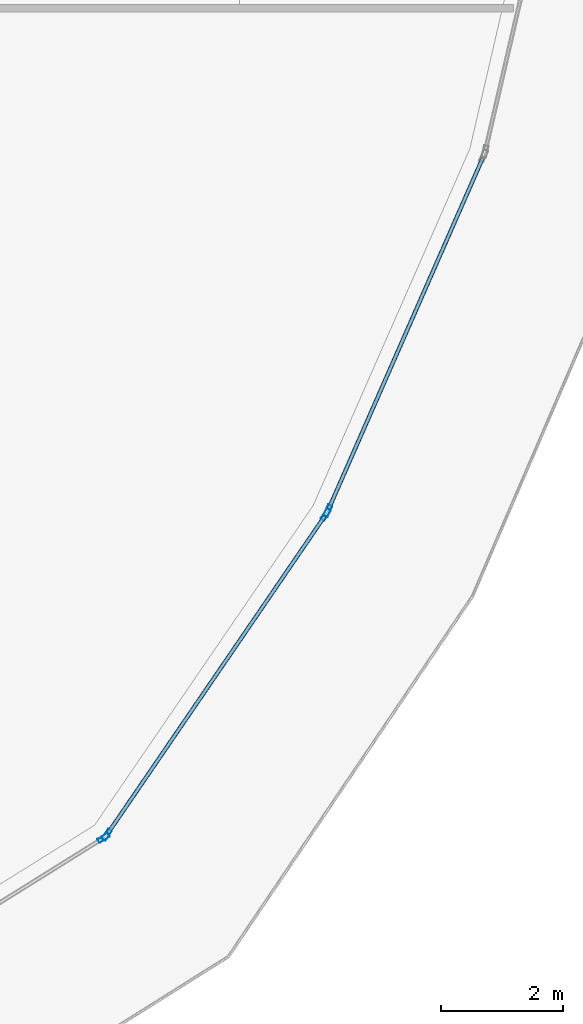
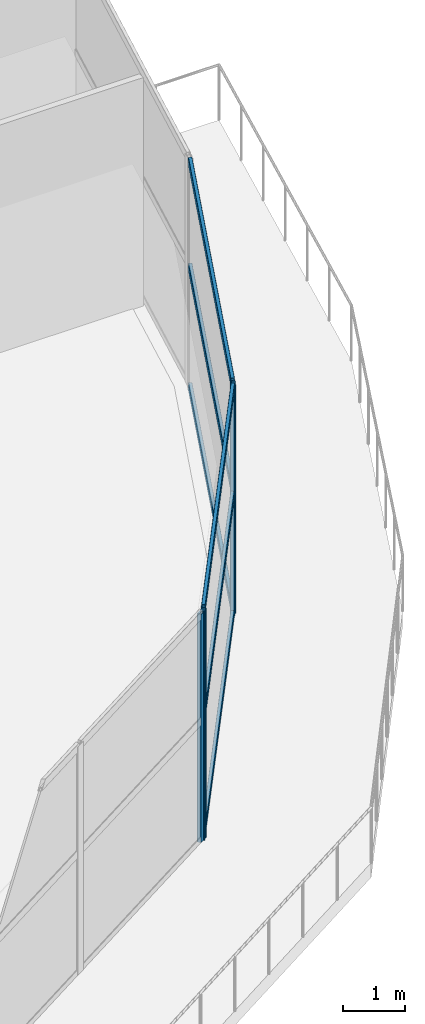
# One storey, part 11 of 36: 10 members, 3 elements without a shape of their own.
"""IFC4 building model written with IfcOpenShell, lengths in metres."""

from ifc_helpers import new_model, si_unit, direction, frame, origin, origin_2d, place, context, subcontext, project, spatial, hollow_rectangle, extrude, material, layer, layer_set, material_profile, profile_set, type_object, element, aggregate, save


model = new_model("IFC4")

# Units and contexts
model_context = context("Model", 3, precision=1e-05, world=origin(), true_north=direction((0.0, 1.0)))
body_context = subcontext(model_context, "Body", "Model", "MODEL_VIEW")
ifc_project = project(units=[si_unit("LENGTHUNIT", "METRE"), si_unit("AREAUNIT", "SQUARE_METRE"), si_unit("VOLUMEUNIT", "CUBIC_METRE"), si_unit("PLANEANGLEUNIT", "RADIAN"), si_unit("MASSUNIT", "GRAM", prefix="KILO")], contexts=[model_context])

# Site, building, storey
site_placement = place(None, origin())
site = spatial("IfcSite", under=ifc_project, at=site_placement, CompositionType="ELEMENT")
building_placement = place(site_placement, origin())
building = spatial("IfcBuilding", under=site, at=building_placement, Name="Qorvath Tower", CompositionType="ELEMENT")
storey_placement = place(building_placement, frame((0.0, 0.0, 180.0)))
storey = spatial("IfcBuildingStorey", under=building, at=storey_placement, Name="L41", CompositionType="ELEMENT", Elevation=180.0)

# Curtain wall, member
ifc_material_1 = material(Name="Anodised aluminium and triple low-E glass", Category="aluminium")
ifc_layer = layer(ifc_material_1, 0.179931640625)
ifc_layer_set = layer_set([ifc_layer], Name="CW-SYS-5")
curtain_wall_type = type_object("IfcCurtainWallType", Name="CW-SYS-5", PredefinedType="NOTDEFINED", material=ifc_layer_set)
curtain_wall_1_placement = place(storey_placement, origin())
curtain_wall_1 = element("IfcCurtainWall", 1, at=curtain_wall_1_placement, inside=storey, type_object=curtain_wall_type, Name="Curtain Wall CW-5 CW-T-L41-4.1", PredefinedType="NOTDEFINED")
ifc_material_2 = material(Name="Anodised aluminium 6063-T6", Category="aluminium")
ifc_material_profile_1 = material_profile(ifc_material_2, hollow_rectangle(XDim=0.074951171875, YDim=0.199951171875, WallThickness=0.00390625, InnerFilletRadius=0.00390625, OuterFilletRadius=0.008056640625, at=origin_2d()), Name="CWM 200x75")
ifc_profile_set_1 = profile_set([ifc_material_profile_1], Name="Anodised aluminium 6063-T6")
member_type_1 = type_object("IfcMemberType", Name="CWM-200", PredefinedType="MULLION", material=ifc_profile_set_1)
member_1_placement = place(storey_placement, frame((-5.0439453125, -22.167236328125, 0.0), z_axis=(0.0, 0.0, 1.0), x_axis=(-0.529309919685, 0.848428552633, 0.0)))
member_1 = element("IfcMember", 2, at=member_1_placement, type_object=member_type_1, Name="CW-5 mullion 3", PredefinedType="MULLION", context=body_context, shape_type="SweptSolid", body=[
    extrude(hollow_rectangle(XDim=0.074951171875, YDim=0.199951171875, WallThickness=0.00390625, InnerFilletRadius=0.00390625, OuterFilletRadius=0.008056640625, at=origin_2d()), origin(), (0.0, 0.0, 1.0), 4.530029296875),
])
aggregate(curtain_wall_1, [member_1])

# Curtain wall, members
curtain_wall_2_placement = place(storey_placement, origin())
curtain_wall_2 = element("IfcCurtainWall", 3, at=curtain_wall_2_placement, inside=storey, type_object=curtain_wall_type, Name="Curtain Wall CW-5 CW-T-L41-5.1", PredefinedType="NOTDEFINED")
member_2_placement = place(storey_placement, frame((-4.990966796875, -22.116455078125, 0.0), z_axis=(0.0, 0.0, 1.0), x_axis=(-0.825508358689, 0.564389891595, 0.0)))
member_2 = element("IfcMember", 4, at=member_2_placement, type_object=member_type_1, Name="CW-5 mullion 1", PredefinedType="MULLION", context=body_context, shape_type="SweptSolid", body=[
    extrude(hollow_rectangle(XDim=0.074951171875, YDim=0.199951171875, WallThickness=0.00390625, InnerFilletRadius=0.00390625, OuterFilletRadius=0.008056640625, at=origin_2d()), origin(), (0.0, 0.0, 1.0), 4.530029296875),
])
member_3_placement = place(storey_placement, frame((-1.399658203125, -16.863525390625, 0.0), z_axis=(0.0, 0.0, 1.0), x_axis=(-0.825508358689, 0.564389891595, 0.0)))
member_3 = element("IfcMember", 5, at=member_3_placement, type_object=member_type_1, Name="CW-5 mullion 2", PredefinedType="MULLION", context=body_context, shape_type="SweptSolid", body=[
    extrude(hollow_rectangle(XDim=0.074951171875, YDim=0.199951171875, WallThickness=0.00390625, InnerFilletRadius=0.00390625, OuterFilletRadius=0.008056640625, at=origin_2d()), origin(), (0.0, 0.0, 1.0), 4.530029296875),
])

# Curtain wall, member
curtain_wall_3_placement = place(storey_placement, origin())
curtain_wall_3 = element("IfcCurtainWall", 6, at=curtain_wall_3_placement, inside=storey, type_object=curtain_wall_type, Name="Curtain Wall CW-5 CW-T-L41-6.1", PredefinedType="NOTDEFINED")
member_4_placement = place(storey_placement, frame((-1.36328125, -16.798095703125, 0.0), z_axis=(0.0, 0.0, 1.0), x_axis=(-0.915612514038, 0.402061841186, 0.0)))
member_4 = element("IfcMember", 7, at=member_4_placement, type_object=member_type_1, Name="CW-5 mullion 1", PredefinedType="MULLION", context=body_context, shape_type="SweptSolid", body=[
    extrude(hollow_rectangle(XDim=0.074951171875, YDim=0.199951171875, WallThickness=0.00390625, InnerFilletRadius=0.00390625, OuterFilletRadius=0.008056640625, at=origin_2d()), origin(), (0.0, 0.0, 1.0), 4.530029296875),
])

# Member
ifc_material_3 = material(Name="Anodised aluminium 6063-T6", Category="aluminium")
ifc_material_profile_2 = material_profile(ifc_material_3, hollow_rectangle(XDim=0.06494140625, YDim=0.159912109375, WallThickness=0.00341796875, InnerFilletRadius=0.00341796875, OuterFilletRadius=0.007080078125, at=origin_2d()), Name="CWT 160x65")
ifc_profile_set_2 = profile_set([ifc_material_profile_2], Name="Anodised aluminium 6063-T6")
member_type_2 = type_object("IfcMemberType", Name="CWT-160", PredefinedType="USERDEFINED", material=ifc_profile_set_2)
member_5_placement = place(storey_placement, frame((-4.969970703125, -22.085693359375, 0.032470703125), z_axis=(0.564409705697, 0.825494811683, 0.0), x_axis=(-0.825494811683, 0.564409705697, 0.0)))
member_5 = element("IfcMember", 8, at=member_5_placement, type_object=member_type_2, Name="CW-5 transom 1.1", ObjectType="TRANSOM", PredefinedType="USERDEFINED", context=body_context, shape_type="SweptSolid", body=[
    extrude(hollow_rectangle(XDim=0.06494140625, YDim=0.159912109375, WallThickness=0.00341796875, InnerFilletRadius=0.00341796875, OuterFilletRadius=0.007080078125, at=origin_2d()), origin(), (0.0, 0.0, 1.0), 6.28857421875),
])

member_6_placement = place(storey_placement, frame((-4.969970703125, -22.085693359375, 2.39990234375), z_axis=(0.564409705697, 0.825494811683, 0.0), x_axis=(-0.825494811683, 0.564409705697, 0.0)))
member_6 = element("IfcMember", 9, at=member_6_placement, type_object=member_type_2, Name="CW-5 transom 1.2", ObjectType="TRANSOM", PredefinedType="USERDEFINED", context=body_context, shape_type="SweptSolid", body=[
    extrude(hollow_rectangle(XDim=0.06494140625, YDim=0.159912109375, WallThickness=0.00341796875, InnerFilletRadius=0.00341796875, OuterFilletRadius=0.007080078125, at=origin_2d()), origin(), (0.0, 0.0, 1.0), 6.28857421875),
])

member_7_placement = place(storey_placement, frame((-4.969970703125, -22.085693359375, 4.49755859375), z_axis=(0.564409705697, 0.825494811683, 0.0), x_axis=(-0.825494811683, 0.564409705697, 0.0)))
member_7 = element("IfcMember", 10, at=member_7_placement, type_object=member_type_2, Name="CW-5 transom 1.3", ObjectType="TRANSOM", PredefinedType="USERDEFINED", context=body_context, shape_type="SweptSolid", body=[
    extrude(hollow_rectangle(XDim=0.06494140625, YDim=0.159912109375, WallThickness=0.00341796875, InnerFilletRadius=0.00341796875, OuterFilletRadius=0.007080078125, at=origin_2d()), origin(), (0.0, 0.0, 1.0), 6.28857421875),
])

aggregate(curtain_wall_2, [member_2, member_3, member_5, member_6, member_7])

member_8_placement = place(storey_placement, frame((-1.34814453125, -16.763916015625, 0.032470703125), z_axis=(0.402024199909, 0.915629042073, 0.0), x_axis=(-0.915629042073, 0.402024199909, 0.0)))
member_8 = element("IfcMember", 11, at=member_8_placement, type_object=member_type_2, Name="CW-5 transom 1.1", ObjectType="TRANSOM", PredefinedType="USERDEFINED", context=body_context, shape_type="SweptSolid", body=[
    extrude(hollow_rectangle(XDim=0.06494140625, YDim=0.159912109375, WallThickness=0.00341796875, InnerFilletRadius=0.00341796875, OuterFilletRadius=0.007080078125, at=origin_2d()), origin(), (0.0, 0.0, 1.0), 6.288330078125),
])

member_9_placement = place(storey_placement, frame((-1.34814453125, -16.763916015625, 2.39990234375), z_axis=(0.402024199909, 0.915629042073, 0.0), x_axis=(-0.915629042073, 0.402024199909, 0.0)))
member_9 = element("IfcMember", 12, at=member_9_placement, type_object=member_type_2, Name="CW-5 transom 1.2", ObjectType="TRANSOM", PredefinedType="USERDEFINED", context=body_context, shape_type="SweptSolid", body=[
    extrude(hollow_rectangle(XDim=0.06494140625, YDim=0.159912109375, WallThickness=0.00341796875, InnerFilletRadius=0.00341796875, OuterFilletRadius=0.007080078125, at=origin_2d()), origin(), (0.0, 0.0, 1.0), 6.288330078125),
])

member_10_placement = place(storey_placement, frame((-1.34814453125, -16.763916015625, 4.49755859375), z_axis=(0.402024199909, 0.915629042073, 0.0), x_axis=(-0.915629042073, 0.402024199909, 0.0)))
member_10 = element("IfcMember", 13, at=member_10_placement, type_object=member_type_2, Name="CW-5 transom 1.3", ObjectType="TRANSOM", PredefinedType="USERDEFINED", context=body_context, shape_type="SweptSolid", body=[
    extrude(hollow_rectangle(XDim=0.06494140625, YDim=0.159912109375, WallThickness=0.00341796875, InnerFilletRadius=0.00341796875, OuterFilletRadius=0.007080078125, at=origin_2d()), origin(), (0.0, 0.0, 1.0), 6.288330078125),
])

aggregate(curtain_wall_3, [member_4, member_8, member_9, member_10])

save(model, "model.ifc")
